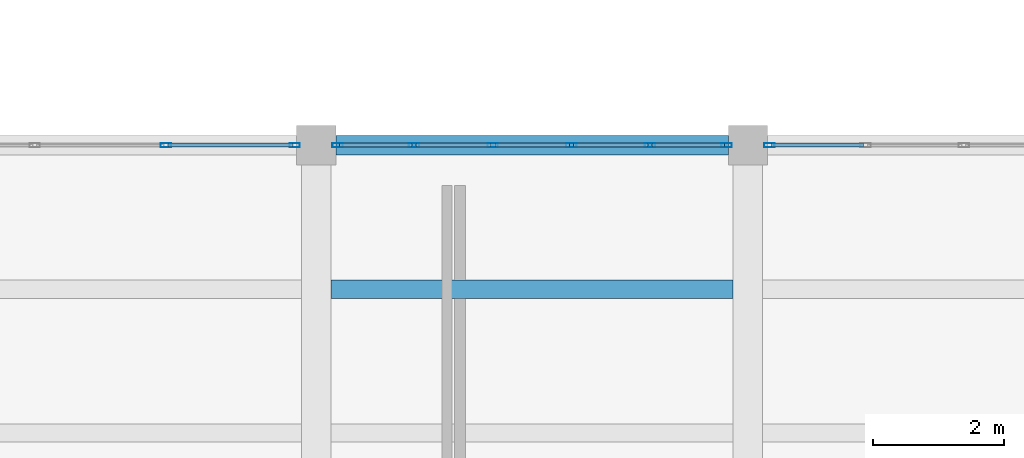
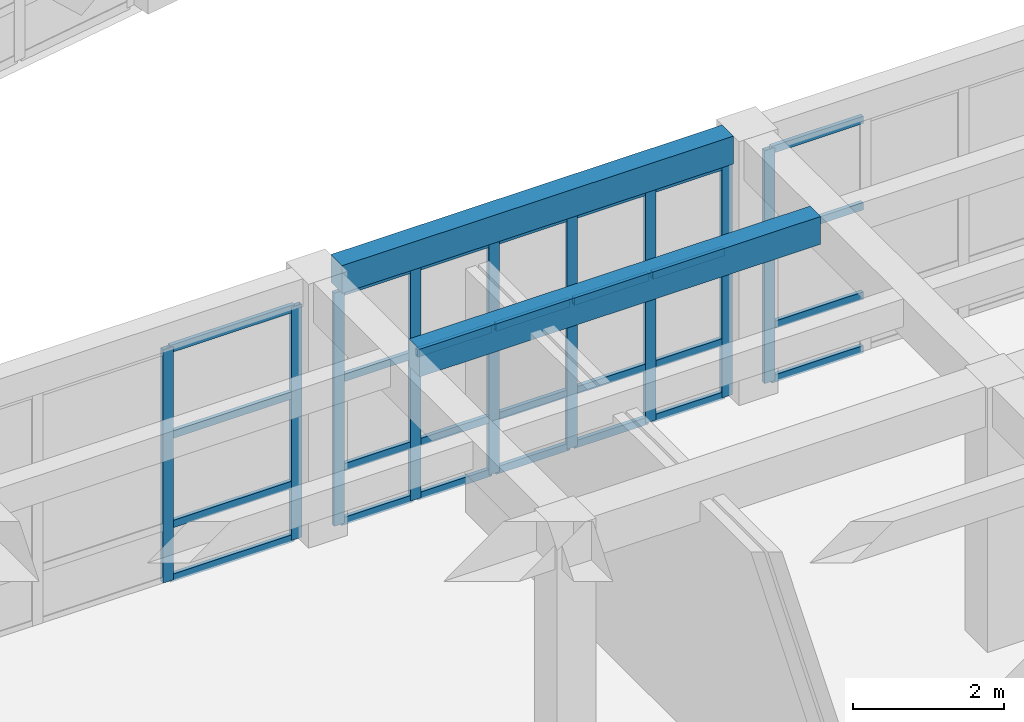
# One storey, part 8 of 67: 37 members, 2 beams, 3 elements without a shape of their own.
"""IFC4 building model written with IfcOpenShell, lengths in metres."""

import ifcopenshell
import ifcopenshell.guid

model = None  # the IFC model being written
_history = None  # IfcOwnerHistory: only IFC2X3 demands one
_inside = {}  # id of a spatial element -> (the spatial element, [elements in it])
_under = {}  # id of a project, library or spatial element -> (it, [spatial elements below it])
_declared = {}  # id of a project -> (the project, [libraries it declares])
_typed = {}  # id of a type object -> (the type object, [elements of that type])
_made_of = {}  # id of a material, layer set ... -> (it, [elements and type objects made of it])


def new_model(schema):
    """Start an empty IFC model of exactly this schema.

    Asked for "IFC4X3", IfcOpenShell would pick the latest addendum, in which some entities
    have other attributes; the version numbers below select the first issue.
    IFC2X3 requires an IfcOwnerHistory on every rooted entity: one is made here for all.
    """
    global model, _history
    if schema == "IFC4X3":
        model = ifcopenshell.file(schema_version=(4, 3, 0, 0))
    else:
        model = ifcopenshell.file(schema=schema)
    _inside.clear()
    _under.clear()
    _declared.clear()
    _typed.clear()
    _made_of.clear()
    _history = None
    if model.schema == "IFC2X3":
        org = make("IfcOrganization", Name="unknown")
        user = make(
            "IfcPersonAndOrganization",
            ThePerson=make("IfcPerson", FamilyName="unknown"),
            TheOrganization=org,
        )
        app = make(
            "IfcApplication",
            ApplicationDeveloper=org,
            Version="unknown",
            ApplicationFullName="unknown",
            ApplicationIdentifier="unknown",
        )
        _history = make(
            "IfcOwnerHistory",
            OwningUser=user,
            OwningApplication=app,
            ChangeAction="ADDED",
            CreationDate=0,
        )
    return model


def make(cls, **values):
    """One entity of the class cls with the attributes given. An attribute that is None is left unset."""
    return model.create_entity(
        cls, **{name: value for name, value in values.items() if value is not None}
    )


def rooted(cls, **values):
    """An entity with a GlobalId (a new one), such as an element, a storey or a relation."""
    return make(cls, GlobalId=ifcopenshell.guid.new(), OwnerHistory=_history, **values)


def si_unit(unit_type, name, prefix=None):
    """IfcSIUnit, for example si_unit("LENGTHUNIT", "METRE", prefix="MILLI")."""
    return make("IfcSIUnit", UnitType=unit_type, Prefix=prefix, Name=name)


def assignment(units):
    """IfcUnitAssignment: the units of a project."""
    return None if units is None else make("IfcUnitAssignment", Units=units)


def point(xyz):
    """IfcCartesianPoint."""
    return None if xyz is None else make("IfcCartesianPoint", Coordinates=xyz)


def direction(xyz):
    """IfcDirection."""
    return None if xyz is None else make("IfcDirection", DirectionRatios=xyz)


def frame(location, z_axis=None, x_axis=None):
    """IfcAxis2Placement3D, a coordinate frame: its origin and axes. An axis left out is left unset."""
    return make(
        "IfcAxis2Placement3D",
        Location=point(location),
        Axis=direction(z_axis),
        RefDirection=direction(x_axis),
    )


def frame_2d(location, x_axis=None):
    """IfcAxis2Placement2D, a coordinate frame in the plane: its origin and x axis."""
    return make(
        "IfcAxis2Placement2D", Location=point(location), RefDirection=direction(x_axis)
    )


def origin():
    """The frame at (0, 0, 0) with its axes left unset."""
    return frame((0.0, 0.0, 0.0))


def origin_2d():
    """The frame at (0, 0) in the plane with its x axis left unset."""
    return frame_2d((0.0, 0.0))


def place(relative_to, where):
    """IfcLocalPlacement: puts the frame where relative to a parent placement (None: the world)."""
    return make(
        "IfcLocalPlacement", PlacementRelTo=relative_to, RelativePlacement=where
    )


def context(
    kind, dimensions, precision=None, world=None, true_north=None, identifier=None
):
    """IfcGeometricRepresentationContext, for example the 3D "Model" context."""
    return make(
        "IfcGeometricRepresentationContext",
        ContextIdentifier=identifier,
        ContextType=kind,
        CoordinateSpaceDimension=dimensions,
        Precision=precision,
        WorldCoordinateSystem=world,
        TrueNorth=true_north,
    )


def subcontext(parent, identifier, kind, view, scale=None):
    """IfcGeometricRepresentationSubContext, for example "Body" below "Model"."""
    return make(
        "IfcGeometricRepresentationSubContext",
        ContextIdentifier=identifier,
        ContextType=kind,
        ParentContext=parent,
        TargetScale=scale,
        TargetView=view,
    )


def project(units=None, contexts=None):
    """IfcProject with its units and contexts."""
    return rooted(
        "IfcProject",
        Name="project",
        RepresentationContexts=contexts,
        UnitsInContext=assignment(units),
    )


def spatial(cls, under=None, at=None, **own):
    """A site, building, storey or space (cls), placed at a placement, below another one or the project."""
    s = rooted(cls, ObjectPlacement=at, **own)
    if under is not None:
        _under.setdefault(under.id(), (under, []))[1].append(s)
    return s


def profile(cls, at=None, kind="AREA", **sizes):
    """A parametric profile (cls). Its sizes go by their IFC names, for example OverallWidth=200.0."""
    return make(cls, ProfileType=kind, Position=at, **sizes)


def rectangle(**sizes):
    """IfcRectangleProfileDef."""
    return profile("IfcRectangleProfileDef", **sizes)


def hollow_rectangle(**sizes):
    """IfcRectangleHollowProfileDef."""
    return profile("IfcRectangleHollowProfileDef", **sizes)


def extrude(swept, where, along, depth):
    """IfcExtrudedAreaSolid: the profile swept, set in the frame where, extruded along a direction by depth."""
    return make(
        "IfcExtrudedAreaSolid",
        SweptArea=swept,
        Position=where,
        ExtrudedDirection=direction(along),
        Depth=depth,
    )


def shape(context_of_items, identifier, shape_type, items):
    """IfcShapeRepresentation: the items that make up one representation, for example the "Body"."""
    return make(
        "IfcShapeRepresentation",
        ContextOfItems=context_of_items,
        RepresentationIdentifier=identifier,
        RepresentationType=shape_type,
        Items=items,
    )


def material(Name=None, Category=None):
    """IfcMaterial."""
    return make("IfcMaterial", Name=Name, Category=Category)


def layer(
    of_material, thickness, ventilated=None, Name=None, Category=None, Priority=None
):
    """IfcMaterialLayer: one layer of a wall or slab, of a material (None: an air gap)."""
    return make(
        "IfcMaterialLayer",
        Material=of_material,
        LayerThickness=thickness,
        IsVentilated=ventilated,
        Name=Name,
        Category=Category,
        Priority=Priority,
    )


def layer_set(layers, Name=None):
    """IfcMaterialLayerSet."""
    return make("IfcMaterialLayerSet", MaterialLayers=layers, LayerSetName=Name)


def material_profile(
    of_material, cross_section, Name=None, Category=None, Priority=None
):
    """IfcMaterialProfile: a cross section and its material."""
    return make(
        "IfcMaterialProfile",
        Name=Name,
        Material=of_material,
        Profile=cross_section,
        Priority=Priority,
        Category=Category,
    )


def profile_set(profiles, Name=None, composite=None):
    """IfcMaterialProfileSet."""
    return make(
        "IfcMaterialProfileSet",
        Name=Name,
        MaterialProfiles=profiles,
        CompositeProfile=composite,
    )


def made_of(thing, what):
    """Note that an element or type object is made of a material, layer set ...; save() writes the relation."""
    if what is not None:
        _made_of.setdefault(what.id(), (what, []))[1].append(thing)
    return thing


def type_object(cls, material=None, **own):
    """A type object (cls), such as IfcWallType, which elements share."""
    return made_of(rooted(cls, **own), material)


def element(
    cls,
    number,
    at=None,
    inside=None,
    cuts=None,
    type_object=None,
    material=None,
    context=None,
    identifier="Body",
    shape_type=None,
    held_by="IfcProductDefinitionShape",
    body=None,
    shapes=None,
    **own,
):
    """One element of the class cls, such as IfcWall. Its Tag is "e" and its number.

    at: its placement. inside: the storey or other place that contains it. cuts: it is an
    opening in that element (IfcRelVoidsElement). A single representation is given by context,
    identifier, shape_type and body (its items); several are given by shapes. held_by: the class
    of the entity that holds the representations. save() writes the other relations.
    """
    e = rooted(cls, Tag="e%d" % number, ObjectPlacement=at, **own)
    if body is not None:
        shapes = [shape(context, identifier, shape_type, body)]
    if shapes is not None:
        e.Representation = make(held_by, Representations=shapes)
    if inside is not None:
        _inside.setdefault(inside.id(), (inside, []))[1].append(e)
    if cuts is not None:
        rooted(
            "IfcRelVoidsElement", RelatingBuildingElement=cuts, RelatedOpeningElement=e
        )
    if type_object is not None:
        _typed.setdefault(type_object.id(), (type_object, []))[1].append(e)
    return made_of(e, material)


def aggregate(whole, parts):
    """IfcRelAggregates: a whole, such as a stair, and the parts it consists of."""
    return rooted("IfcRelAggregates", RelatingObject=whole, RelatedObjects=parts)


def save(model, path):
    """Write the relations noted so far, then the file.

    IfcRelAggregates (storeys below a building ...), IfcRelContainedInSpatialStructure (elements
    in a storey), IfcRelDefinesByType, IfcRelAssociatesMaterial and IfcRelDeclares: one each for
    every whole, place, type object, material and project.
    """
    for whole, parts in _under.values():
        aggregate(whole, parts)
    for where, things in _inside.values():
        rooted(
            "IfcRelContainedInSpatialStructure",
            RelatedElements=things,
            RelatingStructure=where,
        )
    for kind, things in _typed.values():
        rooted("IfcRelDefinesByType", RelatedObjects=things, RelatingType=kind)
    for what, things in _made_of.values():
        rooted("IfcRelAssociatesMaterial", RelatedObjects=things, RelatingMaterial=what)
    for by, libraries in _declared.values():
        rooted("IfcRelDeclares", RelatingContext=by, RelatedDefinitions=libraries)
    model.write(path)


model = new_model("IFC4")

# Units and contexts
model_context = context("Model", 3, precision=1e-05, world=origin(), true_north=direction((0.0, 1.0)))
body_context = subcontext(model_context, "Body", "Model", "MODEL_VIEW")
ifc_project = project(units=[si_unit("LENGTHUNIT", "METRE"), si_unit("AREAUNIT", "SQUARE_METRE"), si_unit("VOLUMEUNIT", "CUBIC_METRE"), si_unit("PLANEANGLEUNIT", "RADIAN"), si_unit("MASSUNIT", "GRAM", prefix="KILO")], contexts=[model_context])

# Site, building, storey
site_placement = place(None, origin())
site = spatial("IfcSite", under=ifc_project, at=site_placement, CompositionType="ELEMENT")
building_placement = place(site_placement, origin())
building = spatial("IfcBuilding", under=site, at=building_placement, Name="Kharisveld Research Institute", CompositionType="ELEMENT")
storey_placement = place(building_placement, frame((0.0, 0.0, 9.60009765625)))
storey = spatial("IfcBuildingStorey", under=building, at=storey_placement, Name="L02", CompositionType="ELEMENT", Elevation=9.60009765625)

# Curtain wall, members
ifc_material_1 = material(Name="Thermally Broken Aluminium Curtain Wall", Category="aluminium")
ifc_layer_1 = layer(ifc_material_1, 0.159912109375)
ifc_layer_set_1 = layer_set([ifc_layer_1], Name="CW_SYS_06")
curtain_wall_type_1 = type_object("IfcCurtainWallType", Name="CW_SYS_06", PredefinedType="NOTDEFINED", material=ifc_layer_set_1)
curtain_wall_1_placement = place(storey_placement, origin())
curtain_wall_1 = element("IfcCurtainWall", 1, at=curtain_wall_1_placement, inside=storey, type_object=curtain_wall_type_1, Name="CW:V3:L02:N2", PredefinedType="NOTDEFINED")
ifc_material_2 = material(Name="Anodised Aluminium AW-6063-T6", Category="aluminium")
ifc_material_profile_1 = material_profile(ifc_material_2, hollow_rectangle(XDim=0.06494140625, YDim=0.159912109375, WallThickness=0.00390625, at=origin_2d()))
ifc_profile_set_1 = profile_set([ifc_material_profile_1], Name="Anodised Aluminium AW-6063-T6")
member_type_1 = type_object("IfcMemberType", Name="CW_MUL_160", PredefinedType="MULLION", material=ifc_profile_set_1)
member_1_placement = place(storey_placement, frame((18.1015625, 26.60009765625, 0.0), z_axis=(0.0, 0.0, 1.0), x_axis=(0.0, 1.0, 0.0)))
member_1 = element("IfcMember", 2, at=member_1_placement, type_object=member_type_1, Name="CW-06 mullion 3", PredefinedType="MULLION", context=body_context, shape_type="SweptSolid", body=[
    extrude(hollow_rectangle(XDim=0.06494140625, YDim=0.159912109375, WallThickness=0.00390625, at=origin_2d()), origin(), (0.0, 0.0, 1.0), 3.77978515625),
])
member_2_placement = place(storey_placement, frame((20.072509765625, 26.60009765625, 0.0), z_axis=(0.0, 0.0, 1.0), x_axis=(0.0, 1.0, 0.0)))
member_2 = element("IfcMember", 3, at=member_2_placement, type_object=member_type_1, Name="CW-06 mullion 4", PredefinedType="MULLION", context=body_context, shape_type="SweptSolid", body=[
    extrude(hollow_rectangle(XDim=0.06494140625, YDim=0.159912109375, WallThickness=0.00390625, at=origin_2d()), origin(), (0.0, 0.0, 1.0), 3.77978515625),
])

ifc_material_3 = material(Name="Thermally Broken Aluminium Curtain Wall", Category="aluminium")
ifc_layer_2 = layer(ifc_material_3, 0.159912109375)
ifc_layer_set_2 = layer_set([ifc_layer_2], Name="CW_SYS_01")
curtain_wall_type_2 = type_object("IfcCurtainWallType", Name="CW_SYS_01", PredefinedType="NOTDEFINED", material=ifc_layer_set_2)
curtain_wall_2_placement = place(storey_placement, origin())
curtain_wall_2 = element("IfcCurtainWall", 4, at=curtain_wall_2_placement, inside=storey, type_object=curtain_wall_type_2, Name="CW:V3:L02:N3", PredefinedType="NOTDEFINED")
member_3_placement = place(storey_placement, frame((20.7275390625, 26.60009765625, 0.0), z_axis=(0.0, 0.0, 1.0), x_axis=(0.0, 1.0, 0.0)))
member_3 = element("IfcMember", 5, at=member_3_placement, type_object=member_type_1, Name="CW-01 mullion 1", PredefinedType="MULLION", context=body_context, shape_type="SweptSolid", body=[
    extrude(hollow_rectangle(XDim=0.06494140625, YDim=0.159912109375, WallThickness=0.00390625, at=origin_2d()), origin(), (0.0, 0.0, 1.0), 3.77978515625),
])
member_4_placement = place(storey_placement, frame((21.89697265625, 26.60009765625, 0.0), z_axis=(0.0, 0.0, 1.0), x_axis=(0.0, 1.0, 0.0)))
member_4 = element("IfcMember", 6, at=member_4_placement, type_object=member_type_1, Name="CW-01 mullion 2", PredefinedType="MULLION", context=body_context, shape_type="SweptSolid", body=[
    extrude(hollow_rectangle(XDim=0.06494140625, YDim=0.159912109375, WallThickness=0.00390625, at=origin_2d()), origin(), (0.0, 0.0, 1.0), 3.77978515625),
])
member_5_placement = place(storey_placement, frame((23.09912109375, 26.60009765625, 0.0), z_axis=(0.0, 0.0, 1.0), x_axis=(0.0, 1.0, 0.0)))
member_5 = element("IfcMember", 7, at=member_5_placement, type_object=member_type_1, Name="CW-01 mullion 3", PredefinedType="MULLION", context=body_context, shape_type="SweptSolid", body=[
    extrude(hollow_rectangle(XDim=0.06494140625, YDim=0.159912109375, WallThickness=0.00390625, at=origin_2d()), origin(), (0.0, 0.0, 1.0), 3.77978515625),
])
member_6_placement = place(storey_placement, frame((24.301025390625, 26.60009765625, 0.0), z_axis=(0.0, 0.0, 1.0), x_axis=(0.0, 1.0, 0.0)))
member_6 = element("IfcMember", 8, at=member_6_placement, type_object=member_type_1, Name="CW-01 mullion 4", PredefinedType="MULLION", context=body_context, shape_type="SweptSolid", body=[
    extrude(hollow_rectangle(XDim=0.06494140625, YDim=0.159912109375, WallThickness=0.00390625, at=origin_2d()), origin(), (0.0, 0.0, 1.0), 3.77978515625),
])
member_7_placement = place(storey_placement, frame((25.5029296875, 26.60009765625, 0.0), z_axis=(0.0, 0.0, 1.0), x_axis=(0.0, 1.0, 0.0)))
member_7 = element("IfcMember", 9, at=member_7_placement, type_object=member_type_1, Name="CW-01 mullion 5", PredefinedType="MULLION", context=body_context, shape_type="SweptSolid", body=[
    extrude(hollow_rectangle(XDim=0.06494140625, YDim=0.159912109375, WallThickness=0.00390625, at=origin_2d()), origin(), (0.0, 0.0, 1.0), 3.77978515625),
])
member_8_placement = place(storey_placement, frame((26.672607421875, 26.60009765625, 0.0), z_axis=(0.0, 0.0, 1.0), x_axis=(0.0, 1.0, 0.0)))
member_8 = element("IfcMember", 10, at=member_8_placement, type_object=member_type_1, Name="CW-01 mullion 6", PredefinedType="MULLION", context=body_context, shape_type="SweptSolid", body=[
    extrude(hollow_rectangle(XDim=0.06494140625, YDim=0.159912109375, WallThickness=0.00390625, at=origin_2d()), origin(), (0.0, 0.0, 1.0), 3.77978515625),
])

# Curtain wall, member
ifc_material_4 = material(Name="Thermally Broken Aluminium Curtain Wall", Category="aluminium")
ifc_layer_3 = layer(ifc_material_4, 0.159912109375)
ifc_layer_set_3 = layer_set([ifc_layer_3], Name="CW_SYS_02")
curtain_wall_type_3 = type_object("IfcCurtainWallType", Name="CW_SYS_02", PredefinedType="NOTDEFINED", material=ifc_layer_set_3)
curtain_wall_3_placement = place(storey_placement, origin())
curtain_wall_3 = element("IfcCurtainWall", 11, at=curtain_wall_3_placement, inside=storey, type_object=curtain_wall_type_3, Name="CW:V3:L02:N4", PredefinedType="NOTDEFINED")
member_9_placement = place(storey_placement, frame((27.327392578125, 26.60009765625, 0.0), z_axis=(0.0, 0.0, 1.0), x_axis=(0.0, 1.0, 0.0)))
member_9 = element("IfcMember", 12, at=member_9_placement, type_object=member_type_1, Name="CW-02 mullion 1", PredefinedType="MULLION", context=body_context, shape_type="SweptSolid", body=[
    extrude(hollow_rectangle(XDim=0.06494140625, YDim=0.159912109375, WallThickness=0.00390625, at=origin_2d()), origin(), (0.0, 0.0, 1.0), 3.77978515625),
])

# Member
ifc_material_5 = material(Name="Anodised Aluminium AW-6063-T6", Category="aluminium")
ifc_material_profile_2 = material_profile(ifc_material_5, hollow_rectangle(XDim=0.06005859375, YDim=0.1201171875, WallThickness=0.00390625, at=origin_2d()))
ifc_profile_set_2 = profile_set([ifc_material_profile_2], Name="Anodised Aluminium AW-6063-T6")
member_type_2 = type_object("IfcMemberType", Name="CW_TRN_120", PredefinedType="USERDEFINED", material=ifc_profile_set_2)
member_10_placement = place(storey_placement, frame((18.13427734375, 26.60009765625, 0.02978515625), z_axis=(1.0, 0.0, 0.0), x_axis=(0.0, 1.0, 0.0)))
member_10 = element("IfcMember", 13, at=member_10_placement, type_object=member_type_2, Name="CW-06 transom 3.1", ObjectType="TRANSOM", PredefinedType="USERDEFINED", context=body_context, shape_type="SweptSolid", body=[
    extrude(hollow_rectangle(XDim=0.06005859375, YDim=0.1201171875, WallThickness=0.00390625, at=origin_2d()), origin(), (0.0, 0.0, 1.0), 1.90576171875),
])

member_11_placement = place(storey_placement, frame((18.13427734375, 26.60009765625, 0.89990234375), z_axis=(1.0, 0.0, 0.0), x_axis=(0.0, 1.0, 0.0)))
member_11 = element("IfcMember", 14, at=member_11_placement, type_object=member_type_2, Name="CW-06 transom 3.2", ObjectType="TRANSOM", PredefinedType="USERDEFINED", context=body_context, shape_type="SweptSolid", body=[
    extrude(hollow_rectangle(XDim=0.06005859375, YDim=0.1201171875, WallThickness=0.00390625, at=origin_2d()), origin(), (0.0, 0.0, 1.0), 1.90576171875),
])

member_12_placement = place(storey_placement, frame((18.13427734375, 26.60009765625, 2.349853515625), z_axis=(1.0, 0.0, 0.0), x_axis=(0.0, 1.0, 0.0)))
member_12 = element("IfcMember", 15, at=member_12_placement, type_object=member_type_2, Name="CW-06 transom 3.3", ObjectType="TRANSOM", PredefinedType="USERDEFINED", context=body_context, shape_type="SweptSolid", body=[
    extrude(hollow_rectangle(XDim=0.06005859375, YDim=0.1201171875, WallThickness=0.00390625, at=origin_2d()), origin(), (0.0, 0.0, 1.0), 1.90576171875),
])

member_13_placement = place(storey_placement, frame((18.13427734375, 26.60009765625, 3.75), z_axis=(1.0, 0.0, 0.0), x_axis=(0.0, 1.0, 0.0)))
member_13 = element("IfcMember", 16, at=member_13_placement, type_object=member_type_2, Name="CW-06 transom 3.4", ObjectType="TRANSOM", PredefinedType="USERDEFINED", context=body_context, shape_type="SweptSolid", body=[
    extrude(hollow_rectangle(XDim=0.06005859375, YDim=0.1201171875, WallThickness=0.00390625, at=origin_2d()), origin(), (0.0, 0.0, 1.0), 1.90576171875),
])

aggregate(curtain_wall_1, [member_1, member_2, member_10, member_11, member_12, member_13])

member_14_placement = place(storey_placement, frame((20.760009765625, 26.60009765625, 0.02978515625), z_axis=(1.0, 0.0, 0.0), x_axis=(0.0, 1.0, 0.0)))
member_14 = element("IfcMember", 17, at=member_14_placement, type_object=member_type_2, Name="CW-01 transom 1.1", ObjectType="TRANSOM", PredefinedType="USERDEFINED", context=body_context, shape_type="SweptSolid", body=[
    extrude(hollow_rectangle(XDim=0.06005859375, YDim=0.1201171875, WallThickness=0.00390625, at=origin_2d()), origin(), (0.0, 0.0, 1.0), 1.1044921875),
])

member_15_placement = place(storey_placement, frame((20.760009765625, 26.60009765625, 0.89990234375), z_axis=(1.0, 0.0, 0.0), x_axis=(0.0, 1.0, 0.0)))
member_15 = element("IfcMember", 18, at=member_15_placement, type_object=member_type_2, Name="CW-01 transom 1.2", ObjectType="TRANSOM", PredefinedType="USERDEFINED", context=body_context, shape_type="SweptSolid", body=[
    extrude(hollow_rectangle(XDim=0.06005859375, YDim=0.1201171875, WallThickness=0.00390625, at=origin_2d()), origin(), (0.0, 0.0, 1.0), 1.1044921875),
])

member_16_placement = place(storey_placement, frame((20.760009765625, 26.60009765625, 2.349853515625), z_axis=(1.0, 0.0, 0.0), x_axis=(0.0, 1.0, 0.0)))
member_16 = element("IfcMember", 19, at=member_16_placement, type_object=member_type_2, Name="CW-01 transom 1.3", ObjectType="TRANSOM", PredefinedType="USERDEFINED", context=body_context, shape_type="SweptSolid", body=[
    extrude(hollow_rectangle(XDim=0.06005859375, YDim=0.1201171875, WallThickness=0.00390625, at=origin_2d()), origin(), (0.0, 0.0, 1.0), 1.1044921875),
])

member_17_placement = place(storey_placement, frame((20.760009765625, 26.60009765625, 3.75), z_axis=(1.0, 0.0, 0.0), x_axis=(0.0, 1.0, 0.0)))
member_17 = element("IfcMember", 20, at=member_17_placement, type_object=member_type_2, Name="CW-01 transom 1.4", ObjectType="TRANSOM", PredefinedType="USERDEFINED", context=body_context, shape_type="SweptSolid", body=[
    extrude(hollow_rectangle(XDim=0.06005859375, YDim=0.1201171875, WallThickness=0.00390625, at=origin_2d()), origin(), (0.0, 0.0, 1.0), 1.1044921875),
])

member_18_placement = place(storey_placement, frame((21.929443359375, 26.60009765625, 0.02978515625), z_axis=(1.0, 0.0, 0.0), x_axis=(0.0, 1.0, 0.0)))
member_18 = element("IfcMember", 21, at=member_18_placement, type_object=member_type_2, Name="CW-01 transom 2.1", ObjectType="TRANSOM", PredefinedType="USERDEFINED", context=body_context, shape_type="SweptSolid", body=[
    extrude(hollow_rectangle(XDim=0.06005859375, YDim=0.1201171875, WallThickness=0.00390625, at=origin_2d()), origin(), (0.0, 0.0, 1.0), 1.136962890625),
])

member_19_placement = place(storey_placement, frame((21.929443359375, 26.60009765625, 0.89990234375), z_axis=(1.0, 0.0, 0.0), x_axis=(0.0, 1.0, 0.0)))
member_19 = element("IfcMember", 22, at=member_19_placement, type_object=member_type_2, Name="CW-01 transom 2.2", ObjectType="TRANSOM", PredefinedType="USERDEFINED", context=body_context, shape_type="SweptSolid", body=[
    extrude(hollow_rectangle(XDim=0.06005859375, YDim=0.1201171875, WallThickness=0.00390625, at=origin_2d()), origin(), (0.0, 0.0, 1.0), 1.136962890625),
])

member_20_placement = place(storey_placement, frame((21.929443359375, 26.60009765625, 2.349853515625), z_axis=(1.0, 0.0, 0.0), x_axis=(0.0, 1.0, 0.0)))
member_20 = element("IfcMember", 23, at=member_20_placement, type_object=member_type_2, Name="CW-01 transom 2.3", ObjectType="TRANSOM", PredefinedType="USERDEFINED", context=body_context, shape_type="SweptSolid", body=[
    extrude(hollow_rectangle(XDim=0.06005859375, YDim=0.1201171875, WallThickness=0.00390625, at=origin_2d()), origin(), (0.0, 0.0, 1.0), 1.136962890625),
])

member_21_placement = place(storey_placement, frame((21.929443359375, 26.60009765625, 3.75), z_axis=(1.0, 0.0, 0.0), x_axis=(0.0, 1.0, 0.0)))
member_21 = element("IfcMember", 24, at=member_21_placement, type_object=member_type_2, Name="CW-01 transom 2.4", ObjectType="TRANSOM", PredefinedType="USERDEFINED", context=body_context, shape_type="SweptSolid", body=[
    extrude(hollow_rectangle(XDim=0.06005859375, YDim=0.1201171875, WallThickness=0.00390625, at=origin_2d()), origin(), (0.0, 0.0, 1.0), 1.136962890625),
])

member_22_placement = place(storey_placement, frame((23.131591796875, 26.60009765625, 0.02978515625), z_axis=(1.0, 0.0, 0.0), x_axis=(0.0, 1.0, 0.0)))
member_22 = element("IfcMember", 25, at=member_22_placement, type_object=member_type_2, Name="CW-01 transom 3.1", ObjectType="TRANSOM", PredefinedType="USERDEFINED", context=body_context, shape_type="SweptSolid", body=[
    extrude(hollow_rectangle(XDim=0.06005859375, YDim=0.1201171875, WallThickness=0.00390625, at=origin_2d()), origin(), (0.0, 0.0, 1.0), 1.136962890625),
])

member_23_placement = place(storey_placement, frame((23.131591796875, 26.60009765625, 0.89990234375), z_axis=(1.0, 0.0, 0.0), x_axis=(0.0, 1.0, 0.0)))
member_23 = element("IfcMember", 26, at=member_23_placement, type_object=member_type_2, Name="CW-01 transom 3.2", ObjectType="TRANSOM", PredefinedType="USERDEFINED", context=body_context, shape_type="SweptSolid", body=[
    extrude(hollow_rectangle(XDim=0.06005859375, YDim=0.1201171875, WallThickness=0.00390625, at=origin_2d()), origin(), (0.0, 0.0, 1.0), 1.136962890625),
])

member_24_placement = place(storey_placement, frame((23.131591796875, 26.60009765625, 2.349853515625), z_axis=(1.0, 0.0, 0.0), x_axis=(0.0, 1.0, 0.0)))
member_24 = element("IfcMember", 27, at=member_24_placement, type_object=member_type_2, Name="CW-01 transom 3.3", ObjectType="TRANSOM", PredefinedType="USERDEFINED", context=body_context, shape_type="SweptSolid", body=[
    extrude(hollow_rectangle(XDim=0.06005859375, YDim=0.1201171875, WallThickness=0.00390625, at=origin_2d()), origin(), (0.0, 0.0, 1.0), 1.136962890625),
])

member_25_placement = place(storey_placement, frame((23.131591796875, 26.60009765625, 3.75), z_axis=(1.0, 0.0, 0.0), x_axis=(0.0, 1.0, 0.0)))
member_25 = element("IfcMember", 28, at=member_25_placement, type_object=member_type_2, Name="CW-01 transom 3.4", ObjectType="TRANSOM", PredefinedType="USERDEFINED", context=body_context, shape_type="SweptSolid", body=[
    extrude(hollow_rectangle(XDim=0.06005859375, YDim=0.1201171875, WallThickness=0.00390625, at=origin_2d()), origin(), (0.0, 0.0, 1.0), 1.136962890625),
])

member_26_placement = place(storey_placement, frame((24.33349609375, 26.60009765625, 0.02978515625), z_axis=(1.0, 0.0, 0.0), x_axis=(0.0, 1.0, 0.0)))
member_26 = element("IfcMember", 29, at=member_26_placement, type_object=member_type_2, Name="CW-01 transom 4.1", ObjectType="TRANSOM", PredefinedType="USERDEFINED", context=body_context, shape_type="SweptSolid", body=[
    extrude(hollow_rectangle(XDim=0.06005859375, YDim=0.1201171875, WallThickness=0.00390625, at=origin_2d()), origin(), (0.0, 0.0, 1.0), 1.136962890625),
])

member_27_placement = place(storey_placement, frame((24.33349609375, 26.60009765625, 0.89990234375), z_axis=(1.0, 0.0, 0.0), x_axis=(0.0, 1.0, 0.0)))
member_27 = element("IfcMember", 30, at=member_27_placement, type_object=member_type_2, Name="CW-01 transom 4.2", ObjectType="TRANSOM", PredefinedType="USERDEFINED", context=body_context, shape_type="SweptSolid", body=[
    extrude(hollow_rectangle(XDim=0.06005859375, YDim=0.1201171875, WallThickness=0.00390625, at=origin_2d()), origin(), (0.0, 0.0, 1.0), 1.136962890625),
])

member_28_placement = place(storey_placement, frame((24.33349609375, 26.60009765625, 2.349853515625), z_axis=(1.0, 0.0, 0.0), x_axis=(0.0, 1.0, 0.0)))
member_28 = element("IfcMember", 31, at=member_28_placement, type_object=member_type_2, Name="CW-01 transom 4.3", ObjectType="TRANSOM", PredefinedType="USERDEFINED", context=body_context, shape_type="SweptSolid", body=[
    extrude(hollow_rectangle(XDim=0.06005859375, YDim=0.1201171875, WallThickness=0.00390625, at=origin_2d()), origin(), (0.0, 0.0, 1.0), 1.136962890625),
])

member_29_placement = place(storey_placement, frame((24.33349609375, 26.60009765625, 3.75), z_axis=(1.0, 0.0, 0.0), x_axis=(0.0, 1.0, 0.0)))
member_29 = element("IfcMember", 32, at=member_29_placement, type_object=member_type_2, Name="CW-01 transom 4.4", ObjectType="TRANSOM", PredefinedType="USERDEFINED", context=body_context, shape_type="SweptSolid", body=[
    extrude(hollow_rectangle(XDim=0.06005859375, YDim=0.1201171875, WallThickness=0.00390625, at=origin_2d()), origin(), (0.0, 0.0, 1.0), 1.136962890625),
])

member_30_placement = place(storey_placement, frame((25.535400390625, 26.60009765625, 0.02978515625), z_axis=(1.0, 0.0, 0.0), x_axis=(0.0, 1.0, 0.0)))
member_30 = element("IfcMember", 33, at=member_30_placement, type_object=member_type_2, Name="CW-01 transom 5.1", ObjectType="TRANSOM", PredefinedType="USERDEFINED", context=body_context, shape_type="SweptSolid", body=[
    extrude(hollow_rectangle(XDim=0.06005859375, YDim=0.1201171875, WallThickness=0.00390625, at=origin_2d()), origin(), (0.0, 0.0, 1.0), 1.1044921875),
])

member_31_placement = place(storey_placement, frame((25.535400390625, 26.60009765625, 0.89990234375), z_axis=(1.0, 0.0, 0.0), x_axis=(0.0, 1.0, 0.0)))
member_31 = element("IfcMember", 34, at=member_31_placement, type_object=member_type_2, Name="CW-01 transom 5.2", ObjectType="TRANSOM", PredefinedType="USERDEFINED", context=body_context, shape_type="SweptSolid", body=[
    extrude(hollow_rectangle(XDim=0.06005859375, YDim=0.1201171875, WallThickness=0.00390625, at=origin_2d()), origin(), (0.0, 0.0, 1.0), 1.1044921875),
])

member_32_placement = place(storey_placement, frame((25.535400390625, 26.60009765625, 2.349853515625), z_axis=(1.0, 0.0, 0.0), x_axis=(0.0, 1.0, 0.0)))
member_32 = element("IfcMember", 35, at=member_32_placement, type_object=member_type_2, Name="CW-01 transom 5.3", ObjectType="TRANSOM", PredefinedType="USERDEFINED", context=body_context, shape_type="SweptSolid", body=[
    extrude(hollow_rectangle(XDim=0.06005859375, YDim=0.1201171875, WallThickness=0.00390625, at=origin_2d()), origin(), (0.0, 0.0, 1.0), 1.1044921875),
])

member_33_placement = place(storey_placement, frame((25.535400390625, 26.60009765625, 3.75), z_axis=(1.0, 0.0, 0.0), x_axis=(0.0, 1.0, 0.0)))
member_33 = element("IfcMember", 36, at=member_33_placement, type_object=member_type_2, Name="CW-01 transom 5.4", ObjectType="TRANSOM", PredefinedType="USERDEFINED", context=body_context, shape_type="SweptSolid", body=[
    extrude(hollow_rectangle(XDim=0.06005859375, YDim=0.1201171875, WallThickness=0.00390625, at=origin_2d()), origin(), (0.0, 0.0, 1.0), 1.1044921875),
])

aggregate(curtain_wall_2, [member_3, member_4, member_5, member_6, member_7, member_8, member_14, member_15, member_16, member_17, member_18, member_19, member_20, member_21, member_22, member_23, member_24, member_25, member_26, member_27, member_28, member_29, member_30, member_31, member_32, member_33])

member_34_placement = place(storey_placement, frame((27.360107421875, 26.60009765625, 0.02978515625), z_axis=(1.0, 0.0, 0.0), x_axis=(0.0, 1.0, 0.0)))
member_34 = element("IfcMember", 37, at=member_34_placement, type_object=member_type_2, Name="CW-02 transom 1.1", ObjectType="TRANSOM", PredefinedType="USERDEFINED", context=body_context, shape_type="SweptSolid", body=[
    extrude(hollow_rectangle(XDim=0.06005859375, YDim=0.1201171875, WallThickness=0.00390625, at=origin_2d()), origin(), (0.0, 0.0, 1.0), 1.40478515625),
])

member_35_placement = place(storey_placement, frame((27.360107421875, 26.60009765625, 0.89990234375), z_axis=(1.0, 0.0, 0.0), x_axis=(0.0, 1.0, 0.0)))
member_35 = element("IfcMember", 38, at=member_35_placement, type_object=member_type_2, Name="CW-02 transom 1.2", ObjectType="TRANSOM", PredefinedType="USERDEFINED", context=body_context, shape_type="SweptSolid", body=[
    extrude(hollow_rectangle(XDim=0.06005859375, YDim=0.1201171875, WallThickness=0.00390625, at=origin_2d()), origin(), (0.0, 0.0, 1.0), 1.40478515625),
])

member_36_placement = place(storey_placement, frame((27.360107421875, 26.60009765625, 2.349853515625), z_axis=(1.0, 0.0, 0.0), x_axis=(0.0, 1.0, 0.0)))
member_36 = element("IfcMember", 39, at=member_36_placement, type_object=member_type_2, Name="CW-02 transom 1.3", ObjectType="TRANSOM", PredefinedType="USERDEFINED", context=body_context, shape_type="SweptSolid", body=[
    extrude(hollow_rectangle(XDim=0.06005859375, YDim=0.1201171875, WallThickness=0.00390625, at=origin_2d()), origin(), (0.0, 0.0, 1.0), 1.40478515625),
])

member_37_placement = place(storey_placement, frame((27.360107421875, 26.60009765625, 3.75), z_axis=(1.0, 0.0, 0.0), x_axis=(0.0, 1.0, 0.0)))
member_37 = element("IfcMember", 40, at=member_37_placement, type_object=member_type_2, Name="CW-02 transom 1.4", ObjectType="TRANSOM", PredefinedType="USERDEFINED", context=body_context, shape_type="SweptSolid", body=[
    extrude(hollow_rectangle(XDim=0.06005859375, YDim=0.1201171875, WallThickness=0.00390625, at=origin_2d()), origin(), (0.0, 0.0, 1.0), 1.40478515625),
])

aggregate(curtain_wall_3, [member_9, member_34, member_35, member_36, member_37])

# Beams
ifc_material_6 = material(Name="Concrete C40/50", Category="concrete")
ifc_material_profile_3 = material_profile(ifc_material_6, rectangle(XDim=0.300048828125, YDim=0.449951171875, at=origin_2d()))
ifc_profile_set_3 = profile_set([ifc_material_profile_3], Name="Concrete C40/50")
beam_type_1 = type_object("IfcBeamType", Name="SP_RC_300x450", PredefinedType="SPANDREL", material=ifc_profile_set_3)
beam_1_placement = place(storey_placement, frame((20.699951171875, 26.60009765625, 4.054931640625), z_axis=(1.0, 0.0, 0.0), x_axis=(0.0, 1.0, 0.0)))
element("IfcBeam", 41, at=beam_1_placement, inside=storey, type_object=beam_type_1, Name="BM:V3:L02:U3_4", PredefinedType="SPANDREL", context=body_context, shape_type="SweptSolid", body=[
    extrude(rectangle(XDim=0.300048828125, YDim=0.449951171875, at=origin_2d()), origin(), (0.0, 0.0, 1.0), 6.0),
])
ifc_material_7 = material(Name="Concrete C40/50", Category="concrete")
ifc_material_profile_4 = material_profile(ifc_material_7, rectangle(XDim=0.280029296875, YDim=0.449951171875, at=origin_2d()))
ifc_profile_set_4 = profile_set([ifc_material_profile_4], Name="Concrete C40/50")
beam_type_2 = type_object("IfcBeamType", Name="WB_RC_280x450", PredefinedType="JOIST", material=ifc_profile_set_4)
beam_2_placement = place(storey_placement, frame((20.625, 24.39990234375, 4.054931640625), z_axis=(1.0, 0.0, 0.0), x_axis=(0.0, 1.0, 0.0)))
element("IfcBeam", 42, at=beam_2_placement, inside=storey, type_object=beam_type_2, Name="BM:V3:L02:J_3_3_R2", PredefinedType="JOIST", context=body_context, shape_type="SweptSolid", body=[
    extrude(rectangle(XDim=0.280029296875, YDim=0.449951171875, at=origin_2d()), origin(), (0.0, 0.0, 1.0), 6.14990234375),
])

save(model, "model.ifc")
